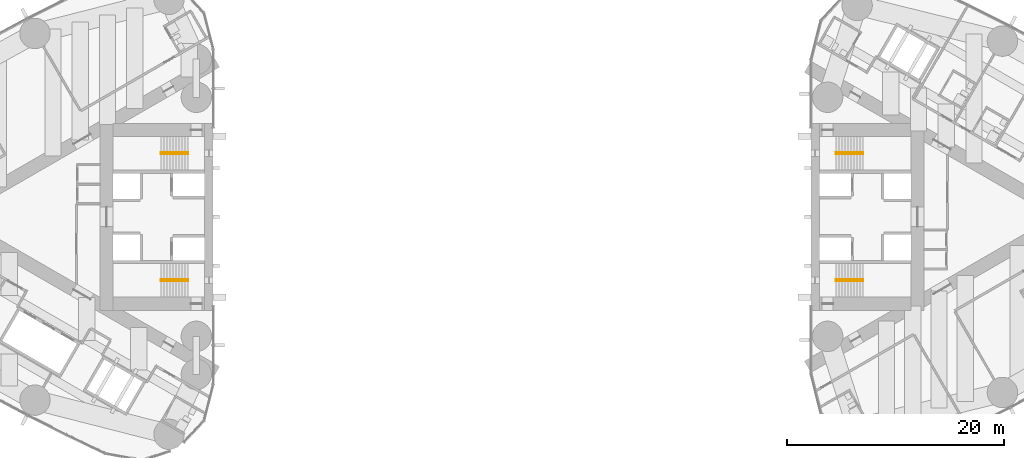
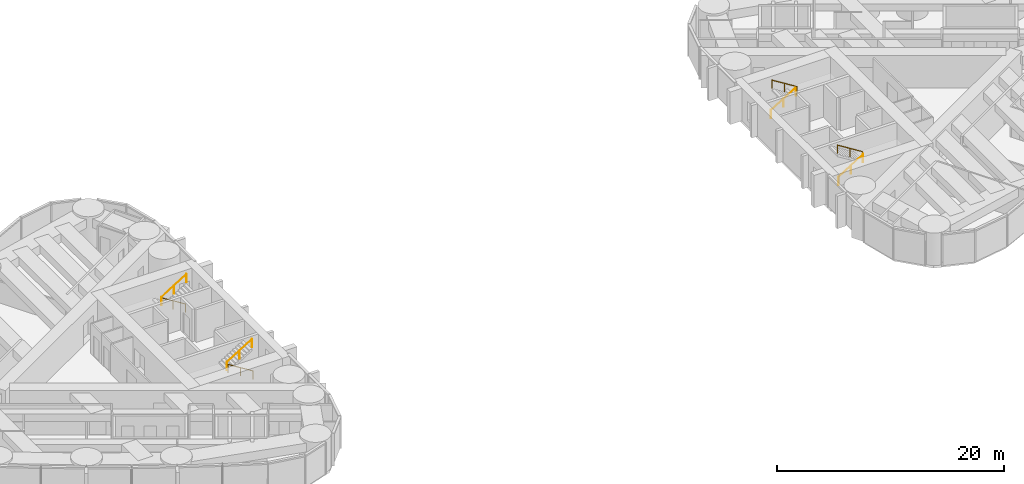
# One storey, part 18 of 19: 8 railings.
"""IFC4 building model written with IfcOpenShell, lengths in metres."""

from ifc_helpers import new_model, si_unit, direction, frame, origin, origin_2d, place, context, subcontext, project, spatial, circle, extrude, material, type_object, element, save


model = new_model("IFC4")

# Units and contexts
model_context = context("Model", 3, precision=1e-05, world=origin(), true_north=direction((0.0, 1.0)))
body_context = subcontext(model_context, "Body", "Model", "MODEL_VIEW")
ifc_project = project(units=[si_unit("LENGTHUNIT", "METRE"), si_unit("AREAUNIT", "SQUARE_METRE"), si_unit("VOLUMEUNIT", "CUBIC_METRE"), si_unit("PLANEANGLEUNIT", "RADIAN"), si_unit("MASSUNIT", "GRAM", prefix="KILO")], contexts=[model_context])

# Site, building, storey
site_placement = place(None, origin())
site = spatial("IfcSite", under=ifc_project, at=site_placement, CompositionType="ELEMENT")
building_placement = place(site_placement, origin())
building = spatial("IfcBuilding", under=site, at=building_placement, Name="Lancet Gate Hotel", CompositionType="ELEMENT")
storey_placement = place(building_placement, frame((0.0, 0.0, 159.800048828125)))
storey = spatial("IfcBuildingStorey", under=building, at=storey_placement, Name="L42", CompositionType="ELEMENT", Elevation=159.800048828125)

# Railings
ifc_material = material(Name="Stainless steel handrail", Category="steel")
railing_type = type_object("IfcRailingType", Name="Stair handrail 900", PredefinedType="HANDRAIL", material=ifc_material)
railing_1_placement = place(storey_placement, frame((-29.800048828125, 5.929931640625, 0.175048828125)))
element("IfcRailing", 1, at=railing_1_placement, inside=storey, type_object=railing_type, Name="ST1 handrail flight 1 L42", PredefinedType="HANDRAIL", context=body_context, shape_type="SweptSolid", body=[
    extrude(circle(Radius=0.02392578125, at=origin_2d()), frame((0.0, 0.0, 0.8759765625), z_axis=(-0.848007534815, 0.0, 0.529984170421), x_axis=(0.0, -1.0, 0.0)), (0.0, 0.0, 1.0), 2.9716796875),
    extrude(circle(Radius=0.02099609375, at=origin_2d()), origin(), (0.0, 0.0, 1.0), 0.851806640625),
    extrude(circle(Radius=0.02099609375, at=origin_2d()), frame((-1.260009765625, 0.0, 0.78759765625)), (0.0, 0.0, 1.0), 0.851806640625),
    extrude(circle(Radius=0.02099609375, at=origin_2d()), frame((-2.52001953125, 0.0, 1.574951171875)), (0.0, 0.0, 1.0), 0.851806640625),
])
railing_2_placement = place(storey_placement, frame((-32.320068359375, 5.77001953125, 1.925048828125)))
element("IfcRailing", 2, at=railing_2_placement, inside=storey, type_object=railing_type, Name="ST1 handrail flight 2 L42", PredefinedType="HANDRAIL", context=body_context, shape_type="SweptSolid", body=[
    extrude(circle(Radius=0.02392578125, at=origin_2d()), frame((0.0, 0.0, 0.8759765625), z_axis=(0.848007534815, 0.0, 0.529984170421), x_axis=(0.0, 1.0, 0.0)), (0.0, 0.0, 1.0), 2.9716796875),
    extrude(circle(Radius=0.02099609375, at=origin_2d()), origin(), (0.0, 0.0, 1.0), 0.851806640625),
    extrude(circle(Radius=0.02099609375, at=origin_2d()), frame((1.260009765625, 0.0, 0.78759765625)), (0.0, 0.0, 1.0), 0.851806640625),
    extrude(circle(Radius=0.02099609375, at=origin_2d()), frame((2.52001953125, 0.0, 1.574951171875)), (0.0, 0.0, 1.0), 0.851806640625),
])
railing_3_placement = place(storey_placement, frame((-29.800048828125, -5.929931640625, 0.175048828125)))
element("IfcRailing", 3, at=railing_3_placement, inside=storey, type_object=railing_type, Name="ST2 handrail flight 1 L42", PredefinedType="HANDRAIL", context=body_context, shape_type="SweptSolid", body=[
    extrude(circle(Radius=0.02392578125, at=origin_2d()), frame((0.0, 0.0, 0.8759765625), z_axis=(-0.848007534815, 0.0, 0.529984170421), x_axis=(0.0, -1.0, 0.0)), (0.0, 0.0, 1.0), 2.9716796875),
    extrude(circle(Radius=0.02099609375, at=origin_2d()), origin(), (0.0, 0.0, 1.0), 0.851806640625),
    extrude(circle(Radius=0.02099609375, at=origin_2d()), frame((-1.260009765625, 0.0, 0.78759765625)), (0.0, 0.0, 1.0), 0.851806640625),
    extrude(circle(Radius=0.02099609375, at=origin_2d()), frame((-2.52001953125, 0.0, 1.574951171875)), (0.0, 0.0, 1.0), 0.851806640625),
])
for number, where, name in (
    (4, (-32.320068359375, -5.77001953125, 1.925048828125), "ST2 handrail flight 2 L42"),
    (5, (29.800048828125, -5.929931640625, 0.175048828125), "ST3 handrail flight 1 L42"),
):
    element("IfcRailing", number, at=place(storey_placement, frame(where)), inside=storey, type_object=railing_type, Name=name, PredefinedType="HANDRAIL", context=body_context, shape_type="SweptSolid", body=[
        extrude(circle(Radius=0.02392578125, at=origin_2d()), frame((0.0, 0.0, 0.8759765625), z_axis=(0.848007534815, 0.0, 0.529984170421), x_axis=(0.0, 1.0, 0.0)), (0.0, 0.0, 1.0), 2.9716796875),
        extrude(circle(Radius=0.02099609375, at=origin_2d()), origin(), (0.0, 0.0, 1.0), 0.851806640625),
        extrude(circle(Radius=0.02099609375, at=origin_2d()), frame((1.260009765625, 0.0, 0.78759765625)), (0.0, 0.0, 1.0), 0.851806640625),
        extrude(circle(Radius=0.02099609375, at=origin_2d()), frame((2.52001953125, 0.0, 1.574951171875)), (0.0, 0.0, 1.0), 0.851806640625),
    ])
railing_4_placement = place(storey_placement, frame((32.320068359375, -5.77001953125, 1.925048828125)))
element("IfcRailing", 6, at=railing_4_placement, inside=storey, type_object=railing_type, Name="ST3 handrail flight 2 L42", PredefinedType="HANDRAIL", context=body_context, shape_type="SweptSolid", body=[
    extrude(circle(Radius=0.02392578125, at=origin_2d()), frame((0.0, 0.0, 0.8759765625), z_axis=(-0.848007534815, 0.0, 0.529984170421), x_axis=(0.0, -1.0, 0.0)), (0.0, 0.0, 1.0), 2.9716796875),
    extrude(circle(Radius=0.02099609375, at=origin_2d()), origin(), (0.0, 0.0, 1.0), 0.851806640625),
    extrude(circle(Radius=0.02099609375, at=origin_2d()), frame((-1.260009765625, 0.0, 0.78759765625)), (0.0, 0.0, 1.0), 0.851806640625),
    extrude(circle(Radius=0.02099609375, at=origin_2d()), frame((-2.52001953125, 0.0, 1.574951171875)), (0.0, 0.0, 1.0), 0.851806640625),
])
railing_5_placement = place(storey_placement, frame((29.800048828125, 5.929931640625, 0.175048828125)))
element("IfcRailing", 7, at=railing_5_placement, inside=storey, type_object=railing_type, Name="ST4 handrail flight 1 L42", PredefinedType="HANDRAIL", context=body_context, shape_type="SweptSolid", body=[
    extrude(circle(Radius=0.02392578125, at=origin_2d()), frame((0.0, 0.0, 0.8759765625), z_axis=(0.848007534815, 0.0, 0.529984170421), x_axis=(0.0, 1.0, 0.0)), (0.0, 0.0, 1.0), 2.9716796875),
    extrude(circle(Radius=0.02099609375, at=origin_2d()), origin(), (0.0, 0.0, 1.0), 0.851806640625),
    extrude(circle(Radius=0.02099609375, at=origin_2d()), frame((1.260009765625, 0.0, 0.78759765625)), (0.0, 0.0, 1.0), 0.851806640625),
    extrude(circle(Radius=0.02099609375, at=origin_2d()), frame((2.52001953125, 0.0, 1.574951171875)), (0.0, 0.0, 1.0), 0.851806640625),
])
railing_6_placement = place(storey_placement, frame((32.320068359375, 5.77001953125, 1.925048828125)))
element("IfcRailing", 8, at=railing_6_placement, inside=storey, type_object=railing_type, Name="ST4 handrail flight 2 L42", PredefinedType="HANDRAIL", context=body_context, shape_type="SweptSolid", body=[
    extrude(circle(Radius=0.02392578125, at=origin_2d()), frame((0.0, 0.0, 0.8759765625), z_axis=(-0.848007534815, 0.0, 0.529984170421), x_axis=(0.0, -1.0, 0.0)), (0.0, 0.0, 1.0), 2.9716796875),
    extrude(circle(Radius=0.02099609375, at=origin_2d()), origin(), (0.0, 0.0, 1.0), 0.851806640625),
    extrude(circle(Radius=0.02099609375, at=origin_2d()), frame((-1.260009765625, 0.0, 0.78759765625)), (0.0, 0.0, 1.0), 0.851806640625),
    extrude(circle(Radius=0.02099609375, at=origin_2d()), frame((-2.52001953125, 0.0, 1.574951171875)), (0.0, 0.0, 1.0), 0.851806640625),
])

save(model, "model.ifc")
